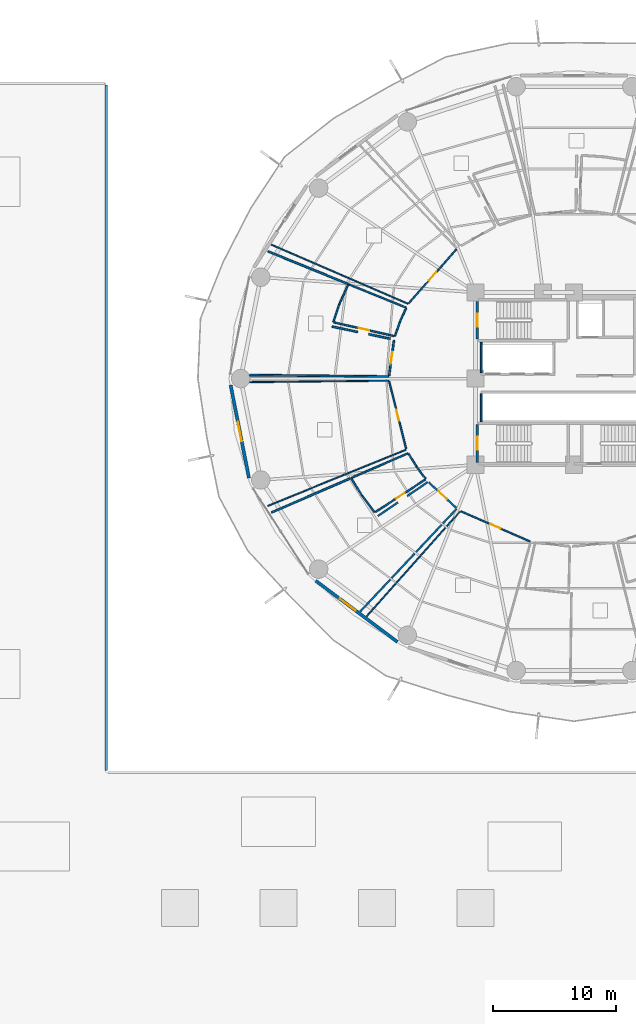
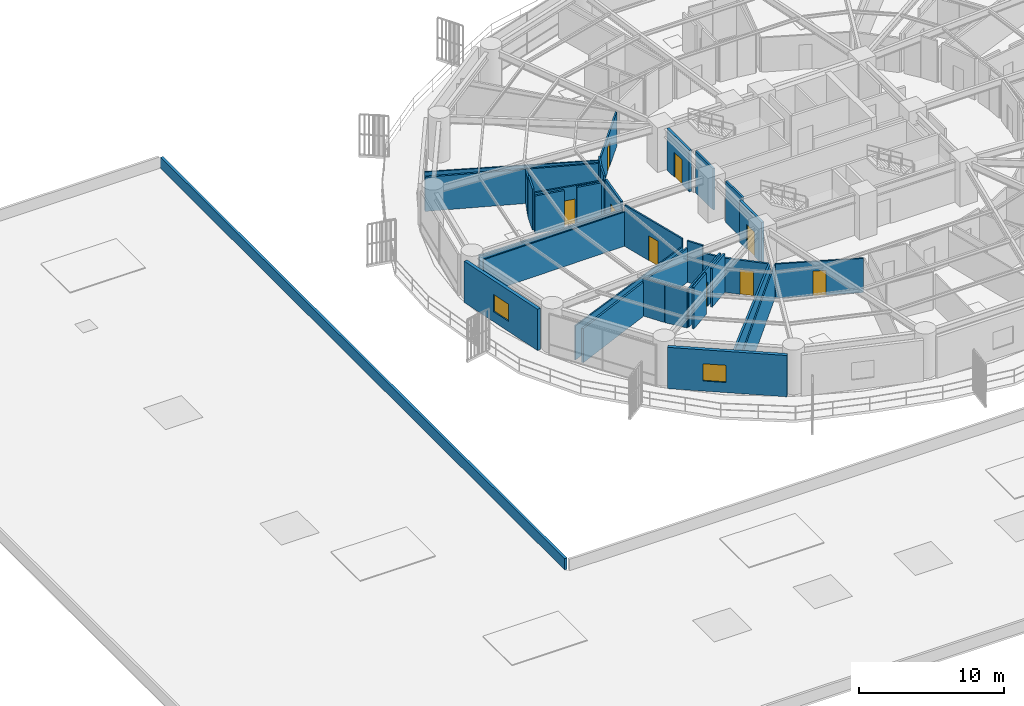
# One storey, part 24 of 35: 36 walls, 9 doors, 2 windows, 11 openings.
"""IFC4 building model written with IfcOpenShell, lengths in metres."""

from ifc_helpers import new_model, si_unit, direction, frame, frame_2d, origin, place, context, subcontext, project, spatial, rectangle, extrude, material, layer, layer_set, type_object, element, fill, save


model = new_model("IFC4")

# Units and contexts
model_context = context("Model", 3, precision=1e-05, world=origin(), true_north=direction((0.0, 1.0)))
body_context = subcontext(model_context, "Body", "Model", "MODEL_VIEW")
ifc_project = project(units=[si_unit("LENGTHUNIT", "METRE"), si_unit("AREAUNIT", "SQUARE_METRE"), si_unit("VOLUMEUNIT", "CUBIC_METRE"), si_unit("PLANEANGLEUNIT", "RADIAN"), si_unit("MASSUNIT", "GRAM", prefix="KILO")], contexts=[model_context])

# Site, building, storey
site_placement = place(None, origin())
site = spatial("IfcSite", under=ifc_project, at=site_placement, CompositionType="ELEMENT")
building_placement = place(site_placement, origin())
building = spatial("IfcBuilding", under=site, at=building_placement, Name="Kelanora Arch Commons", CompositionType="ELEMENT")
storey_placement = place(building_placement, frame((0.0, 0.0, 22.5)))
storey = spatial("IfcBuildingStorey", under=building, at=storey_placement, Name="L05", CompositionType="ELEMENT", Elevation=22.5)

# Walls
ifc_material_1 = material(Name="Autoclaved aerated concrete blockwork with fire plaster", Category="masonry")
ifc_layer_1 = layer(ifc_material_1, 0.14990234375)
ifc_layer_set_1 = layer_set([ifc_layer_1], Name="Autoclaved aerated concrete blockwork with fire plaster")
wall_type_1 = type_object("IfcWallType", Name="W-COMP-150", PredefinedType="PARTITIONING", material=ifc_layer_set_1)
wall_1_placement = place(storey_placement, frame((66.4599609375, 58.47998046875, 0.0), z_axis=(0.0, 0.0, 1.0), x_axis=(0.0, 1.0, 0.0)))
element("IfcWall", 1, at=wall_1_placement, inside=storey, type_object=wall_type_1, Name="Low-Rise Lift Bank West Wall L05", PredefinedType="PARTITIONING", context=body_context, shape_type="SweptSolid", body=[
    extrude(rectangle(XDim=2.4599609375, YDim=0.14990234375, at=frame_2d((1.22998046875, 0.0))), origin(), (0.0, 0.0, 1.0), 3.47998046875),
])
wall_2_placement = place(storey_placement, frame((66.4599609375, 54.47998046875, 0.0), z_axis=(0.0, 0.0, 1.0), x_axis=(0.0, 1.0, 0.0)))
element("IfcWall", 2, at=wall_2_placement, inside=storey, type_object=wall_type_1, Name="South Lift Bank West Wall L05", PredefinedType="PARTITIONING", context=body_context, shape_type="SweptSolid", body=[
    extrude(rectangle(XDim=2.2900390625, YDim=0.14990234375, at=frame_2d((1.14501953125, 0.0))), origin(), (0.0, 0.0, 1.0), 3.47998046875),
])

# Wall, opening, door
wall_3_placement = place(storey_placement, frame((59.375, 61.114501953125, 0.0), z_axis=(0.0, 0.0, 1.0), x_axis=(-0.135838186105, -0.990731036758, 0.0)))
wall_3 = element("IfcWall", 3, at=wall_3_placement, inside=storey, type_object=wall_type_1, Name="Co-Living Studio L05-07 Entry Partition", PredefinedType="PARTITIONING", context=body_context, shape_type="SweptSolid", body=[
    extrude(rectangle(XDim=2.915283203125, YDim=0.14990234375, at=frame_2d((1.45751953125, 0.0))), origin(), (0.0, 0.0, 1.0), 3.47998046875),
])
opening_1_placement = place(wall_3_placement, frame((0.98291015625, 0.0, 0.0)))
opening_1 = element("IfcOpeningElement", 4, at=opening_1_placement, cuts=wall_3, Name="Opening D-CLU1", PredefinedType="OPENING", context=body_context, shape_type="SweptSolid", body=[
    extrude(rectangle(XDim=0.949951171875, YDim=2.080078125, at=frame_2d((0.47509765625, 1.0400390625))), frame((0.0, 0.0849609375, 0.0), z_axis=(0.0, -1.0, 0.0), x_axis=(1.0, 0.0, 0.0)), (0.0, 0.0, 1.0), 0.169921875),
])
ifc_material_2 = material(Name="Solid-core acoustic timber cluster entry fire door", Category="wood")
door_type_1 = type_object("IfcDoorType", Name="D-CLU-95", OperationType="NOTDEFINED", PredefinedType="DOOR", material=ifc_material_2)
door_1_placement = place(opening_1_placement, origin())
door_1 = element("IfcDoor", 5, at=door_1_placement, inside=storey, type_object=door_type_1, Name="Co-Living Studio L05-07 Door", OperationType="SINGLE_SWING_LEFT", OverallHeight=2.080078125, OverallWidth=0.949951171875, PredefinedType="DOOR", context=body_context, shape_type="SweptSolid", body=[
    extrude(rectangle(XDim=0.949951171875, YDim=2.080078125, at=frame_2d((0.47509765625, 1.0400390625))), frame((0.0, 0.02490234375, 0.0), z_axis=(0.0, -1.0, 0.0), x_axis=(1.0, 0.0, 0.0)), (0.0, 0.0, 1.0), 0.050048828125),
])
fill(opening_1, door_1)

wall_4_placement = place(storey_placement, frame((62.194091796875, 49.5751953125, 0.0), z_axis=(0.0, 0.0, 1.0), x_axis=(0.7329267348, -0.680307578538, 0.0)))
wall_4 = element("IfcWall", 6, at=wall_4_placement, inside=storey, type_object=wall_type_1, Name="Co-Living Studio L05-09 Entry Partition", PredefinedType="PARTITIONING", context=body_context, shape_type="SweptSolid", body=[
    extrude(rectangle(XDim=3.06689453125, YDim=0.14990234375, at=frame_2d((1.533447265625, 0.0))), origin(), (0.0, 0.0, 1.0), 2.875),
])
opening_2_placement = place(wall_4_placement, frame((1.05908203125, 0.0, 0.0)))
opening_2 = element("IfcOpeningElement", 7, at=opening_2_placement, cuts=wall_4, Name="Opening D-CLU1", PredefinedType="OPENING", context=body_context, shape_type="SweptSolid", body=[
    extrude(rectangle(XDim=0.949951171875, YDim=2.080078125, at=frame_2d((0.47509765625, 1.0400390625))), frame((0.0, 0.0849609375, 0.0), z_axis=(0.0, -1.0, 0.0), x_axis=(1.0, 0.0, 0.0)), (0.0, 0.0, 1.0), 0.169921875),
])
door_2_placement = place(opening_2_placement, origin())
door_2 = element("IfcDoor", 8, at=door_2_placement, inside=storey, type_object=door_type_1, Name="Co-Living Studio L05-09 Door", OperationType="SINGLE_SWING_RIGHT", OverallHeight=2.080078125, OverallWidth=0.949951171875, PredefinedType="DOOR", context=body_context, shape_type="SweptSolid", body=[
    extrude(rectangle(XDim=0.949951171875, YDim=2.080078125, at=frame_2d((0.47509765625, 1.0400390625))), frame((0.0, 0.02490234375, 0.0), z_axis=(0.0, -1.0, 0.0), x_axis=(1.0, 0.0, 0.0)), (0.0, 0.0, 1.0), 0.050048828125),
])
fill(opening_2, door_2)

# Walls
wall_5_placement = place(storey_placement, frame((58.930908203125, 58.16748046875, 0.0), z_axis=(0.0, 0.0, 1.0), x_axis=(-0.999943877154, 0.010594458135, 0.0)))
element("IfcWall", 9, at=wall_5_placement, inside=storey, type_object=wall_type_1, Name="Co-Living Studio L05-07 Enclosure Partition 2", PredefinedType="PARTITIONING", context=body_context, shape_type="SweptSolid", body=[
    extrude(rectangle(XDim=11.291748046875, YDim=0.14990234375, at=frame_2d((5.64599609375, 0.0))), origin(), (0.0, 0.0, 1.0), 2.875),
])
wall_6_placement = place(storey_placement, frame((49.135009765625, 68.3359375, 0.0), z_axis=(0.0, 0.0, 1.0), x_axis=(0.926325178802, -0.376724917038, 0.0)))
element("IfcWall", 10, at=wall_6_placement, inside=storey, type_object=wall_type_1, Name="Co-Living Studio L05-07 Enclosure Partition 5", PredefinedType="PARTITIONING", context=body_context, shape_type="SweptSolid", body=[
    extrude(rectangle(XDim=6.9833984375, YDim=0.14990234375, at=frame_2d((3.49169921875, 0.0))), origin(), (0.0, 0.0, 1.0), 2.875),
])
wall_7_placement = place(storey_placement, frame((54.337158203125, 62.226806640625, 0.0), z_axis=(0.0, 0.0, 1.0), x_axis=(0.978922282622, -0.204233113343, 0.0)))
element("IfcWall", 11, at=wall_7_placement, inside=storey, type_object=wall_type_1, Name="Co-Living Studio L05-07 Enclosure Partition 7", PredefinedType="PARTITIONING", context=body_context, shape_type="SweptSolid", body=[
    extrude(rectangle(XDim=2.132568359375, YDim=0.14990234375, at=frame_2d((1.06640625, 0.0))), origin(), (0.0, 0.0, 1.0), 3.175048828125),
])
wall_8_placement = place(storey_placement, frame((57.325439453125, 61.603271484375, 0.0), z_axis=(0.0, 0.0, 1.0), x_axis=(0.978929424395, -0.204198878681, 0.0)))
element("IfcWall", 12, at=wall_8_placement, inside=storey, type_object=wall_type_1, Name="Co-Living Studio L05-07 Enclosure Partition 7", PredefinedType="PARTITIONING", context=body_context, shape_type="SweptSolid", body=[
    extrude(rectangle(XDim=1.79345703125, YDim=0.14990234375, at=frame_2d((0.896728515625, 0.0))), origin(), (0.0, 0.0, 1.0), 3.235107421875),
])
wall_9_placement = place(storey_placement, frame((64.45849609375, 47.418701171875, 0.0), z_axis=(0.0, 0.0, 1.0), x_axis=(-0.684261294523, -0.729236916796, 0.0)))
element("IfcWall", 13, at=wall_9_placement, inside=storey, type_object=wall_type_1, Name="Co-Living Studio L05-09 Enclosure Partition 2", PredefinedType="PARTITIONING", context=body_context, shape_type="SweptSolid", body=[
    extrude(rectangle(XDim=11.4375, YDim=0.14990234375, at=frame_2d((5.71875, 0.0))), origin(), (0.0, 0.0, 1.0), 2.875),
])
wall_10_placement = place(storey_placement, frame((49.42578125, 47.1259765625, 0.0), z_axis=(0.0, 0.0, 1.0), x_axis=(0.917736225937, 0.397190407239, 0.0)))
element("IfcWall", 14, at=wall_10_placement, inside=storey, type_object=wall_type_1, Name="Co-Living Studio L05-09 Enclosure Partition 5", PredefinedType="PARTITIONING", context=body_context, shape_type="SweptSolid", body=[
    extrude(rectangle(XDim=6.966552734375, YDim=0.14990234375, at=frame_2d((3.4833984375, 0.0))), origin(), (0.0, 0.0, 1.0), 2.875),
])
wall_11_placement = place(storey_placement, frame((58.06103515625, 46.83447265625, 0.0), z_axis=(0.0, 0.0, 1.0), x_axis=(0.826811291248, 0.562479411769, 0.0)))
element("IfcWall", 15, at=wall_11_placement, inside=storey, type_object=wall_type_1, Name="Co-Living Studio L05-09 Enclosure Partition 7", PredefinedType="PARTITIONING", context=body_context, shape_type="SweptSolid", body=[
    extrude(rectangle(XDim=1.970947265625, YDim=0.14990234375, at=frame_2d((0.9853515625, 0.0))), origin(), (0.0, 0.0, 1.0), 3.47998046875),
])
wall_12_placement = place(storey_placement, frame((60.451416015625, 48.460693359375, 0.0), z_axis=(0.0, 0.0, 1.0), x_axis=(0.826867883695, 0.562396215237, 0.0)))
element("IfcWall", 16, at=wall_12_placement, inside=storey, type_object=wall_type_1, Name="Co-Living Studio L05-09 Enclosure Partition 7", PredefinedType="PARTITIONING", context=body_context, shape_type="SweptSolid", body=[
    extrude(rectangle(XDim=2.01416015625, YDim=0.14990234375, at=frame_2d((1.007080078125, 0.0))), origin(), (0.0, 0.0, 1.0), 3.235107421875),
])

# Wall, opening, window
ifc_material_3 = material(Name="Precast concrete C40/50 with terracotta rainscreen", Category="masonry")
ifc_layer_2 = layer(ifc_material_3, 0.260009765625)
ifc_layer_set_2 = layer_set([ifc_layer_2], Name="Precast concrete C40/50 with terracotta rainscreen")
wall_type_2 = type_object("IfcWallType", Name="W-EXT-TC", PredefinedType="SOLIDWALL", material=ifc_layer_set_2)
wall_13_placement = place(storey_placement, frame((46.103515625, 57.4765625, 0.0), z_axis=(0.0, 0.0, 1.0), x_axis=(0.193726159581, -0.98105564322, 0.0)))
wall_13 = element("IfcWall", 17, at=wall_13_placement, inside=storey, type_object=wall_type_2, Name="Terracotta Exterior Wall L05-B09", PredefinedType="SOLIDWALL", context=body_context, shape_type="SweptSolid", body=[
    extrude(rectangle(XDim=7.70263671875, YDim=0.260009765625, at=frame_2d((3.851318359375, 0.0))), origin(), (0.0, 0.0, 1.0), 3.47509765625),
])
opening_3_placement = place(wall_13_placement, frame((3.051025390625, 0.0, 0.85009765625)))
opening_3 = element("IfcOpeningElement", 18, at=opening_3_placement, cuts=wall_13, Name="Opening WN-01", PredefinedType="OPENING", context=body_context, shape_type="SweptSolid", body=[
    extrude(rectangle(XDim=1.60009765625, YDim=1.449951171875, at=frame_2d((0.800048828125, 0.72509765625))), frame((0.0, 0.14013671875, 0.0), z_axis=(0.0, -1.0, 0.0), x_axis=(1.0, 0.0, 0.0)), (0.0, 0.0, 1.0), 0.280029296875),
])
ifc_material_4 = material(Name="Terracotta-anodised aluminium frame with operable low-E glazing", Category="masonry")
window_type = type_object("IfcWindowType", Name="WIN-CL-18", PartitioningType="DOUBLE_PANEL_VERTICAL", PredefinedType="WINDOW", material=ifc_material_4)
window_1_placement = place(opening_3_placement, origin())
window_1 = element("IfcWindow", 19, at=window_1_placement, inside=storey, type_object=window_type, Name="Co-Living Operable Window L05-B09", OverallHeight=1.449951171875, OverallWidth=1.60009765625, PartitioningType="SINGLE_PANEL", PredefinedType="WINDOW", context=body_context, shape_type="SweptSolid", body=[
    extrude(rectangle(XDim=1.60009765625, YDim=1.449951171875, at=frame_2d((0.800048828125, 0.72509765625))), frame((0.0, 0.030029296875, 0.0), z_axis=(0.0, -1.0, 0.0), x_axis=(1.0, 0.0, 0.0)), (0.0, 0.0, 1.0), 0.06005859375),
])
fill(opening_3, window_1)

wall_14_placement = place(storey_placement, frame((53.01611328125, 41.581787109375, 0.0), z_axis=(0.0, 0.0, 1.0), x_axis=(0.80030733173, -0.599590005569, 0.0)))
wall_14 = element("IfcWall", 20, at=wall_14_placement, inside=storey, type_object=wall_type_2, Name="Terracotta Exterior Wall L05-B11", PredefinedType="SOLIDWALL", context=body_context, shape_type="SweptSolid", body=[
    extrude(rectangle(XDim=8.29052734375, YDim=0.260009765625, at=frame_2d((4.145263671875, 0.0))), origin(), (0.0, 0.0, 1.0), 3.47509765625),
])
opening_4_placement = place(wall_14_placement, frame((2.445068359375, 0.0, 0.85009765625)))
opening_4 = element("IfcOpeningElement", 21, at=opening_4_placement, cuts=wall_14, Name="Opening WN-01", PredefinedType="OPENING", context=body_context, shape_type="SweptSolid", body=[
    extrude(rectangle(XDim=1.60009765625, YDim=1.449951171875, at=frame_2d((0.800048828125, 0.72509765625))), frame((0.0, 0.14013671875, 0.0), z_axis=(0.0, -1.0, 0.0), x_axis=(1.0, 0.0, 0.0)), (0.0, 0.0, 1.0), 0.280029296875),
])
window_2_placement = place(opening_4_placement, origin())
window_2 = element("IfcWindow", 22, at=window_2_placement, inside=storey, type_object=window_type, Name="Co-Living Operable Window L05-B11", OverallHeight=1.449951171875, OverallWidth=1.60009765625, PartitioningType="SINGLE_PANEL", PredefinedType="WINDOW", context=body_context, shape_type="SweptSolid", body=[
    extrude(rectangle(XDim=1.60009765625, YDim=1.449951171875, at=frame_2d((0.800048828125, 0.72509765625))), frame((0.0, 0.030029296875, 0.0), z_axis=(0.0, -1.0, 0.0), x_axis=(1.0, 0.0, 0.0)), (0.0, 0.0, 1.0), 0.06005859375),
])
fill(opening_4, window_2)

# Walls
ifc_material_5 = material(Name="Precast concrete C40/50 parapet", Category="concrete")
ifc_layer_3 = layer(ifc_material_5, 0.18994140625)
ifc_layer_set_3 = layer_set([ifc_layer_3], Name="Precast concrete C40/50 parapet")
wall_type_3 = type_object("IfcWallType", Name="W-PARAPET", PredefinedType="PARAPET", material=ifc_layer_set_3)
wall_15_placement = place(storey_placement, frame((36.0, 26.14990234375, 0.0), z_axis=(0.0, 0.0, 1.0), x_axis=(0.0, 1.0, 0.0)))
element("IfcWall", 23, at=wall_15_placement, inside=storey, type_object=wall_type_3, Name="Market Hall Roof Parapet 4", PredefinedType="PARAPET", context=body_context, shape_type="SweptSolid", body=[
    extrude(rectangle(XDim=55.7001953125, YDim=0.18994140625, at=frame_2d((27.85009765625, 0.0))), origin(), (0.0, 0.0, 1.0), 0.949951171875),
])
ifc_material_6 = material(Name="Lightweight fire-rated acoustic stud partition")
ifc_layer_4 = layer(ifc_material_6, 0.10009765625)
ifc_layer_set_4 = layer_set([ifc_layer_4], Name="Lightweight fire-rated acoustic stud partition")
wall_type_4 = type_object("IfcWallType", Name="W-PART-100", PredefinedType="PARTITIONING", material=ifc_layer_set_4)
wall_16_placement = place(storey_placement, frame((60.502197265625, 64.078857421875, 0.0), z_axis=(0.0, 0.0, 1.0), x_axis=(-0.917695041134, 0.397285554077, 0.0)))
element("IfcWall", 24, at=wall_16_placement, inside=storey, type_object=wall_type_4, Name="Quiet Seminar Study Room L05-06 Enclosure Partition 2", PredefinedType="PARTITIONING", context=body_context, shape_type="SweptSolid", body=[
    extrude(rectangle(XDim=12.06982421875, YDim=0.10009765625, at=frame_2d((6.034912109375, 0.0))), origin(), (0.0, 0.0, 1.0), 2.875),
])
wall_17_placement = place(storey_placement, frame((60.343017578125, 52.221923828125, 0.0), z_axis=(0.0, 0.0, 1.0), x_axis=(-0.926333713065, -0.376703931542, 0.0)))
element("IfcWall", 25, at=wall_17_placement, inside=storey, type_object=wall_type_4, Name="Social Sky Lounge L05-08 Enclosure Partition 2", PredefinedType="PARTITIONING", context=body_context, shape_type="SweptSolid", body=[
    extrude(rectangle(XDim=12.099365234375, YDim=0.10009765625, at=frame_2d((6.0498046875, 0.0))), origin(), (0.0, 0.0, 1.0), 2.875),
])
wall_18_placement = place(storey_placement, frame((47.639892578125, 57.712890625, 0.0), z_axis=(0.0, 0.0, 1.0), x_axis=(0.999943877154, 0.010594458135, 0.0)))
element("IfcWall", 26, at=wall_18_placement, inside=storey, type_object=wall_type_4, Name="Social Sky Lounge L05-08 Enclosure Partition 4", PredefinedType="PARTITIONING", context=body_context, shape_type="SweptSolid", body=[
    extrude(rectangle(XDim=11.291748046875, YDim=0.10009765625, at=frame_2d((5.64599609375, 0.0))), origin(), (0.0, 0.0, 1.0), 2.875),
])
wall_19_placement = place(storey_placement, frame((57.156494140625, 38.705810546875, 0.0), z_axis=(0.0, 0.0, 1.0), x_axis=(0.66580890104, 0.746122313897, 0.0)))
element("IfcWall", 27, at=wall_19_placement, inside=storey, type_object=wall_type_4, Name="Quiet Seminar Study Room L05-10 Enclosure Partition 4", PredefinedType="PARTITIONING", context=body_context, shape_type="SweptSolid", body=[
    extrude(rectangle(XDim=11.3994140625, YDim=0.10009765625, at=frame_2d((5.69970703125, 0.0))), origin(), (0.0, 0.0, 1.0), 2.875),
])

# Wall, opening, door
ifc_material_7 = material(Name="Acoustic twin-stud fire-rated gypsum partition")
ifc_layer_5 = layer(ifc_material_7, 0.1201171875)
ifc_layer_set_5 = layer_set([ifc_layer_5], Name="Acoustic twin-stud fire-rated gypsum partition")
wall_type_5 = type_object("IfcWallType", Name="W-PART-120", PredefinedType="PARTITIONING", material=ifc_layer_set_5)
wall_20_placement = place(storey_placement, frame((64.4462890625, 68.5068359375, 0.0), z_axis=(0.0, 0.0, 1.0), x_axis=(-0.660323401664, -0.75098136143, 0.0)))
wall_20 = element("IfcWall", 28, at=wall_20_placement, inside=storey, type_object=wall_type_5, Name="Quiet Seminar Study Room L05-06 Entry Partition", PredefinedType="PARTITIONING", context=body_context, shape_type="SweptSolid", body=[
    extrude(rectangle(XDim=5.857177734375, YDim=0.1201171875, at=frame_2d((2.9287109375, 0.0))), origin(), (0.0, 0.0, 1.0), 2.875),
])
opening_5_placement = place(wall_20_placement, frame((2.47900390625, 0.0, 0.0)))
opening_5 = element("IfcOpeningElement", 29, at=opening_5_placement, cuts=wall_20, Name="Opening D-RM1", PredefinedType="OPENING", context=body_context, shape_type="SweptSolid", body=[
    extrude(rectangle(XDim=0.89990234375, YDim=2.080078125, at=frame_2d((0.449951171875, 1.0400390625))), frame((0.0, 0.070068359375, 0.0), z_axis=(0.0, -1.0, 0.0), x_axis=(1.0, 0.0, 0.0)), (0.0, 0.0, 1.0), 0.14013671875),
])
ifc_material_8 = material(Name="Acoustic fire-rated timber study and lounge door", Category="wood")
door_type_2 = type_object("IfcDoorType", Name="D-ROOM-90", OperationType="NOTDEFINED", PredefinedType="DOOR", material=ifc_material_8)
door_3_placement = place(opening_5_placement, origin())
door_3 = element("IfcDoor", 30, at=door_3_placement, inside=storey, type_object=door_type_2, Name="Quiet Seminar Study Room L05-06 Door", OperationType="SINGLE_SWING_LEFT", OverallHeight=2.080078125, OverallWidth=0.89990234375, PredefinedType="DOOR", context=body_context, shape_type="SweptSolid", body=[
    extrude(rectangle(XDim=0.89990234375, YDim=2.080078125, at=frame_2d((0.449951171875, 1.0400390625))), frame((0.0, 0.02490234375, 0.0), z_axis=(0.0, -1.0, 0.0), x_axis=(1.0, 0.0, 0.0)), (0.0, 0.0, 1.0), 0.050048828125),
])
fill(opening_5, door_3)

wall_21_placement = place(storey_placement, frame((58.985595703125, 57.77490234375, 0.0), z_axis=(0.0, 0.0, 1.0), x_axis=(0.244192294026, -0.969726829338, 0.0)))
wall_21 = element("IfcWall", 31, at=wall_21_placement, inside=storey, type_object=wall_type_5, Name="Social Sky Lounge L05-08 Entry Partition", PredefinedType="PARTITIONING", context=body_context, shape_type="SweptSolid", body=[
    extrude(rectangle(XDim=5.65087890625, YDim=0.1201171875, at=frame_2d((2.825439453125, 0.0))), origin(), (0.0, 0.0, 1.0), 3.47998046875),
])
opening_6_placement = place(wall_21_placement, frame((2.375, 0.0, 0.0)))
opening_6 = element("IfcOpeningElement", 32, at=opening_6_placement, cuts=wall_21, Name="Opening D-RM1", PredefinedType="OPENING", context=body_context, shape_type="SweptSolid", body=[
    extrude(rectangle(XDim=0.89990234375, YDim=2.080078125, at=frame_2d((0.449951171875, 1.0400390625))), frame((0.0, 0.070068359375, 0.0), z_axis=(0.0, -1.0, 0.0), x_axis=(1.0, 0.0, 0.0)), (0.0, 0.0, 1.0), 0.14013671875),
])
door_4_placement = place(opening_6_placement, origin())
door_4 = element("IfcDoor", 33, at=door_4_placement, inside=storey, type_object=door_type_2, Name="Social Sky Lounge L05-08 Door", OperationType="SINGLE_SWING_RIGHT", OverallHeight=2.080078125, OverallWidth=0.89990234375, PredefinedType="DOOR", context=body_context, shape_type="SweptSolid", body=[
    extrude(rectangle(XDim=0.89990234375, YDim=2.080078125, at=frame_2d((0.449951171875, 1.0400390625))), frame((0.0, 0.02490234375, 0.0), z_axis=(0.0, -1.0, 0.0), x_axis=(1.0, 0.0, 0.0)), (0.0, 0.0, 1.0), 0.050048828125),
])
fill(opening_6, door_4)

wall_22_placement = place(storey_placement, frame((64.827880859375, 47.217041015625, 0.0), z_axis=(0.0, 0.0, 1.0), x_axis=(0.916419655578, -0.400218708797, 0.0)))
wall_22 = element("IfcWall", 34, at=wall_22_placement, inside=storey, type_object=wall_type_5, Name="Quiet Seminar Study Room L05-10 Entry Partition", PredefinedType="PARTITIONING", context=body_context, shape_type="SweptSolid", body=[
    extrude(rectangle(XDim=6.1044921875, YDim=0.1201171875, at=frame_2d((3.05224609375, 0.0))), origin(), (0.0, 0.0, 1.0), 2.875),
])
opening_7_placement = place(wall_22_placement, frame((2.60205078125, 0.0, 0.0)))
opening_7 = element("IfcOpeningElement", 35, at=opening_7_placement, cuts=wall_22, Name="Opening D-RM1", PredefinedType="OPENING", context=body_context, shape_type="SweptSolid", body=[
    extrude(rectangle(XDim=0.89990234375, YDim=2.080078125, at=frame_2d((0.449951171875, 1.0400390625))), frame((0.0, 0.070068359375, 0.0), z_axis=(0.0, -1.0, 0.0), x_axis=(1.0, 0.0, 0.0)), (0.0, 0.0, 1.0), 0.14013671875),
])
door_5_placement = place(opening_7_placement, origin())
door_5 = element("IfcDoor", 36, at=door_5_placement, inside=storey, type_object=door_type_2, Name="Quiet Seminar Study Room L05-10 Door", OperationType="SINGLE_SWING_LEFT", OverallHeight=2.080078125, OverallWidth=0.89990234375, PredefinedType="DOOR", context=body_context, shape_type="SweptSolid", body=[
    extrude(rectangle(XDim=0.89990234375, YDim=2.080078125, at=frame_2d((0.449951171875, 1.0400390625))), frame((0.0, 0.02490234375, 0.0), z_axis=(0.0, -1.0, 0.0), x_axis=(1.0, 0.0, 0.0)), (0.0, 0.0, 1.0), 0.050048828125),
])
fill(opening_7, door_5)

ifc_material_9 = material(Name="Concrete C40/50", Category="concrete")
ifc_layer_6 = layer(ifc_material_9, 0.199951171875)
ifc_layer_set_6 = layer_set([ifc_layer_6], Name="Concrete C40/50")
wall_type_6 = type_object("IfcWallType", Name="W-STAIR-200", PredefinedType="SHEAR", material=ifc_layer_set_6)
wall_23_placement = place(storey_placement, frame((66.139892578125, 64.27001953125, 0.0), z_axis=(0.0, 0.0, 1.0), x_axis=(0.0, -1.0, 0.0)))
wall_23 = element("IfcWall", 37, at=wall_23_placement, inside=storey, type_object=wall_type_6, Name="Stair ST-T1 Shaft Wall W L05", PredefinedType="SHEAR", context=body_context, shape_type="SweptSolid", body=[
    extrude(rectangle(XDim=3.070068359375, YDim=0.199951171875, at=frame_2d((1.53515625, 0.0))), origin(), (0.0, 0.0, 1.0), 3.489990234375),
])
opening_8_placement = place(wall_23_placement, frame((1.010009765625, 0.0, 0.0)))
opening_8 = element("IfcOpeningElement", 38, at=opening_8_placement, cuts=wall_23, Name="Opening D-ST1", PredefinedType="OPENING", context=body_context, shape_type="SweptSolid", body=[
    extrude(rectangle(XDim=1.050048828125, YDim=2.10009765625, at=frame_2d((0.52490234375, 1.050048828125))), frame((0.0, 0.10986328125, 0.0), z_axis=(0.0, -1.0, 0.0), x_axis=(1.0, 0.0, 0.0)), (0.0, 0.0, 1.0), 0.219970703125),
])
ifc_material_10 = material(Name="Steel fire-rated stairwell escape door", Category="steel")
door_type_3 = type_object("IfcDoorType", Name="D-STAIR-110", OperationType="NOTDEFINED", PredefinedType="DOOR", material=ifc_material_10)
door_6_placement = place(opening_8_placement, origin())
door_6 = element("IfcDoor", 39, at=door_6_placement, inside=storey, type_object=door_type_3, Name="Stair ST-T1 Escape Door L05", OperationType="SINGLE_SWING_LEFT", OverallHeight=2.10009765625, OverallWidth=1.050048828125, PredefinedType="DOOR", context=body_context, shape_type="SweptSolid", body=[
    extrude(rectangle(XDim=1.050048828125, YDim=2.10009765625, at=frame_2d((0.52490234375, 1.050048828125))), frame((0.0, 0.02490234375, 0.0), z_axis=(0.0, -1.0, 0.0), x_axis=(1.0, 0.0, 0.0)), (0.0, 0.0, 1.0), 0.050048828125),
])
fill(opening_8, door_6)

wall_24_placement = place(storey_placement, frame((66.139892578125, 54.27001953125, 0.0), z_axis=(0.0, 0.0, 1.0), x_axis=(0.0, -1.0, 0.0)))
wall_24 = element("IfcWall", 40, at=wall_24_placement, inside=storey, type_object=wall_type_6, Name="Stair ST-T3 Shaft Wall W L05", PredefinedType="SHEAR", context=body_context, shape_type="SweptSolid", body=[
    extrude(rectangle(XDim=3.070068359375, YDim=0.199951171875, at=frame_2d((1.53515625, 0.0))), origin(), (0.0, 0.0, 1.0), 3.489990234375),
])
opening_9_placement = place(wall_24_placement, frame((1.010009765625, 0.0, 0.0)))
opening_9 = element("IfcOpeningElement", 41, at=opening_9_placement, cuts=wall_24, Name="Opening D-ST1", PredefinedType="OPENING", context=body_context, shape_type="SweptSolid", body=[
    extrude(rectangle(XDim=1.050048828125, YDim=2.10009765625, at=frame_2d((0.52490234375, 1.050048828125))), frame((0.0, 0.10986328125, 0.0), z_axis=(0.0, -1.0, 0.0), x_axis=(1.0, 0.0, 0.0)), (0.0, 0.0, 1.0), 0.219970703125),
])
door_7_placement = place(opening_9_placement, origin())
door_7 = element("IfcDoor", 42, at=door_7_placement, inside=storey, type_object=door_type_3, Name="Stair ST-T3 Escape Door L05", OperationType="SINGLE_SWING_LEFT", OverallHeight=2.10009765625, OverallWidth=1.050048828125, PredefinedType="DOOR", context=body_context, shape_type="SweptSolid", body=[
    extrude(rectangle(XDim=1.050048828125, YDim=2.10009765625, at=frame_2d((0.52490234375, 1.050048828125))), frame((0.0, 0.02490234375, 0.0), z_axis=(0.0, -1.0, 0.0), x_axis=(1.0, 0.0, 0.0)), (0.0, 0.0, 1.0), 0.050048828125),
])
fill(opening_9, door_7)

ifc_material_11 = material(Name="Moisture-resistant fire-rated cement-board plumbing wall")
ifc_layer_7 = layer(ifc_material_11, 0.1298828125)
ifc_layer_set_7 = layer_set([ifc_layer_7], Name="Moisture-resistant fire-rated cement-board plumbing wall")
wall_type_7 = type_object("IfcWallType", Name="W-WET-120", PredefinedType="PLUMBINGWALL", material=ifc_layer_set_7)
wall_25_placement = place(storey_placement, frame((59.3974609375, 61.452392578125, 0.0), z_axis=(0.0, 0.0, 1.0), x_axis=(-0.975187669184, 0.221379786503, 0.0)))
wall_25 = element("IfcWall", 43, at=wall_25_placement, inside=storey, type_object=wall_type_7, Name="En-Suite Shower WC L05-07 Entry Partition", PredefinedType="PLUMBINGWALL", context=body_context, shape_type="SweptSolid", body=[
    extrude(rectangle(XDim=5.02880859375, YDim=0.1298828125, at=frame_2d((2.514404296875, 0.0))), origin(), (0.0, 0.0, 1.0), 3.175048828125),
])
opening_10_placement = place(wall_25_placement, frame((2.083984375, 0.0, 0.0)))
opening_10 = element("IfcOpeningElement", 44, at=opening_10_placement, cuts=wall_25, Name="Opening D-BT1", PredefinedType="OPENING", context=body_context, shape_type="SweptSolid", body=[
    extrude(rectangle(XDim=0.860107421875, YDim=2.050048828125, at=frame_2d((0.43017578125, 1.02490234375))), frame((0.0, 0.074951171875, 0.0), z_axis=(0.0, -1.0, 0.0), x_axis=(1.0, 0.0, 0.0)), (0.0, 0.0, 1.0), 0.14990234375),
])
ifc_material_12 = material(Name="Moisture-sealed fire-rated accessible bathroom door")
door_type_4 = type_object("IfcDoorType", Name="D-BATH-85", OperationType="NOTDEFINED", PredefinedType="DOOR", material=ifc_material_12)
door_8_placement = place(opening_10_placement, origin())
door_8 = element("IfcDoor", 45, at=door_8_placement, inside=storey, type_object=door_type_4, Name="En-Suite Shower WC L05-07 Door", OperationType="SINGLE_SWING_RIGHT", OverallHeight=2.050048828125, OverallWidth=0.860107421875, PredefinedType="DOOR", context=body_context, shape_type="SweptSolid", body=[
    extrude(rectangle(XDim=0.860107421875, YDim=2.050048828125, at=frame_2d((0.43017578125, 1.02490234375))), frame((0.0, 0.02490234375, 0.0), z_axis=(0.0, -1.0, 0.0), x_axis=(1.0, 0.0, 0.0)), (0.0, 0.0, 1.0), 0.050048828125),
])
fill(opening_10, door_8)

wall_26_placement = place(storey_placement, frame((61.916748046875, 49.80029296875, 0.0), z_axis=(0.0, 0.0, 1.0), x_axis=(-0.837796261941, -0.545982988267, 0.0)))
wall_26 = element("IfcWall", 46, at=wall_26_placement, inside=storey, type_object=wall_type_7, Name="En-Suite Shower WC L05-09 Entry Partition", PredefinedType="PLUMBINGWALL", context=body_context, shape_type="SweptSolid", body=[
    extrude(rectangle(XDim=4.838134765625, YDim=0.1298828125, at=frame_2d((2.4189453125, 0.0))), origin(), (0.0, 0.0, 1.0), 3.235107421875),
])
opening_11_placement = place(wall_26_placement, frame((1.989013671875, 0.0, 0.0)))
opening_11 = element("IfcOpeningElement", 47, at=opening_11_placement, cuts=wall_26, Name="Opening D-BT1", PredefinedType="OPENING", context=body_context, shape_type="SweptSolid", body=[
    extrude(rectangle(XDim=0.860107421875, YDim=2.050048828125, at=frame_2d((0.43017578125, 1.02490234375))), frame((0.0, 0.074951171875, 0.0), z_axis=(0.0, -1.0, 0.0), x_axis=(1.0, 0.0, 0.0)), (0.0, 0.0, 1.0), 0.14990234375),
])
door_9_placement = place(opening_11_placement, origin())
door_9 = element("IfcDoor", 48, at=door_9_placement, inside=storey, type_object=door_type_4, Name="En-Suite Shower WC L05-09 Door", OperationType="SINGLE_SWING_LEFT", OverallHeight=2.050048828125, OverallWidth=0.860107421875, PredefinedType="DOOR", context=body_context, shape_type="SweptSolid", body=[
    extrude(rectangle(XDim=0.860107421875, YDim=2.050048828125, at=frame_2d((0.43017578125, 1.02490234375))), frame((0.0, 0.02490234375, 0.0), z_axis=(0.0, -1.0, 0.0), x_axis=(1.0, 0.0, 0.0)), (0.0, 0.0, 1.0), 0.050048828125),
])
fill(opening_11, door_9)

# Walls
wall_27_placement = place(storey_placement, frame((60.37158203125, 63.744873046875, 0.0), z_axis=(0.0, 0.0, 1.0), x_axis=(-0.4138937247, -0.910325208183, 0.0)))
element("IfcWall", 49, at=wall_27_placement, inside=storey, type_object=wall_type_7, Name="En-Suite Shower WC L05-07 Enclosure Partition 1", PredefinedType="PLUMBINGWALL", context=body_context, shape_type="SweptSolid", body=[
    extrude(rectangle(XDim=1.2158203125, YDim=0.1298828125, at=frame_2d((0.60791015625, 0.0))), origin(), (0.0, 0.0, 1.0), 3.47998046875),
])
wall_28_placement = place(storey_placement, frame((59.853515625, 62.60107421875, 0.0), z_axis=(0.0, 0.0, 1.0), x_axis=(-0.323735286305, -0.946147696928, 0.0)))
element("IfcWall", 50, at=wall_28_placement, inside=storey, type_object=wall_type_7, Name="En-Suite Shower WC L05-07 Enclosure Partition 2", PredefinedType="PLUMBINGWALL", context=body_context, shape_type="SweptSolid", body=[
    extrude(rectangle(XDim=1.2080078125, YDim=0.1298828125, at=frame_2d((0.60400390625, 0.0))), origin(), (0.0, 0.0, 1.0), 3.47998046875),
])
wall_29_placement = place(storey_placement, frame((54.44140625, 62.597900390625, 0.0), z_axis=(0.0, 0.0, 1.0), x_axis=(0.326356647952, 0.945246707657, 0.0)))
element("IfcWall", 51, at=wall_29_placement, inside=storey, type_object=wall_type_7, Name="En-Suite Shower WC L05-07 Enclosure Partition 4", PredefinedType="PLUMBINGWALL", context=body_context, shape_type="SweptSolid", body=[
    extrude(rectangle(XDim=1.6240234375, YDim=0.1298828125, at=frame_2d((0.81201171875, 0.0))), origin(), (0.0, 0.0, 1.0), 3.47998046875),
])
wall_30_placement = place(storey_placement, frame((54.986328125, 64.170166015625, 0.0), z_axis=(0.0, 0.0, 1.0), x_axis=(0.41762687648, 0.908618617486, 0.0)))
element("IfcWall", 52, at=wall_30_placement, inside=storey, type_object=wall_type_7, Name="En-Suite Shower WC L05-07 Enclosure Partition 5", PredefinedType="PLUMBINGWALL", context=body_context, shape_type="SweptSolid", body=[
    extrude(rectangle(XDim=1.634033203125, YDim=0.1298828125, at=frame_2d((0.81689453125, 0.0))), origin(), (0.0, 0.0, 1.0), 2.875),
])
wall_31_placement = place(storey_placement, frame((55.695556640625, 65.66552734375, 0.0), z_axis=(0.0, 0.0, 1.0), x_axis=(0.926504606816, -0.376283421835, 0.0)))
element("IfcWall", 53, at=wall_31_placement, inside=storey, type_object=wall_type_7, Name="En-Suite Shower WC L05-07 Enclosure Partition 6", PredefinedType="PLUMBINGWALL", context=body_context, shape_type="SweptSolid", body=[
    extrude(rectangle(XDim=5.0361328125, YDim=0.1298828125, at=frame_2d((2.51806640625, 0.0))), origin(), (0.0, 0.0, 1.0), 2.875),
])
wall_32_placement = place(storey_placement, frame((60.54931640625, 51.919921875, 0.0), z_axis=(0.0, 0.0, 1.0), x_axis=(0.52146609248, -0.853272004928, 0.0)))
element("IfcWall", 54, at=wall_32_placement, inside=storey, type_object=wall_type_7, Name="En-Suite Shower WC L05-09 Enclosure Partition 1", PredefinedType="PLUMBINGWALL", context=body_context, shape_type="SweptSolid", body=[
    extrude(rectangle(XDim=1.22802734375, YDim=0.1298828125, at=frame_2d((0.614013671875, 0.0))), origin(), (0.0, 0.0, 1.0), 3.47998046875),
])
wall_33_placement = place(storey_placement, frame((61.2119140625, 50.839111328125, 0.0), z_axis=(0.0, 0.0, 1.0), x_axis=(0.600347056143, -0.79973959023, 0.0)))
element("IfcWall", 55, at=wall_33_placement, inside=storey, type_object=wall_type_7, Name="En-Suite Shower WC L05-09 Enclosure Partition 2", PredefinedType="PLUMBINGWALL", context=body_context, shape_type="SweptSolid", body=[
    extrude(rectangle(XDim=1.23779296875, YDim=0.1298828125, at=frame_2d((0.618896484375, 0.0))), origin(), (0.0, 0.0, 1.0), 2.875),
])
wall_34_placement = place(storey_placement, frame((57.80078125, 47.141845703125, 0.0), z_axis=(0.0, 0.0, 1.0), x_axis=(-0.60376191721, 0.797164692725, 0.0)))
element("IfcWall", 56, at=wall_34_placement, inside=storey, type_object=wall_type_7, Name="En-Suite Shower WC L05-09 Enclosure Partition 4", PredefinedType="PLUMBINGWALL", context=body_context, shape_type="SweptSolid", body=[
    extrude(rectangle(XDim=1.668701171875, YDim=0.1298828125, at=frame_2d((0.83447265625, 0.0))), origin(), (0.0, 0.0, 1.0), 3.175048828125),
])
wall_35_placement = place(storey_placement, frame((56.7705078125, 48.5048828125, 0.0), z_axis=(0.0, 0.0, 1.0), x_axis=(-0.525540089642, 0.850768837099, 0.0)))
element("IfcWall", 57, at=wall_35_placement, inside=storey, type_object=wall_type_7, Name="En-Suite Shower WC L05-09 Enclosure Partition 5", PredefinedType="PLUMBINGWALL", context=body_context, shape_type="SweptSolid", body=[
    extrude(rectangle(XDim=1.6513671875, YDim=0.1298828125, at=frame_2d((0.82568359375, 0.0))), origin(), (0.0, 0.0, 1.0), 3.175048828125),
])
wall_36_placement = place(storey_placement, frame((55.910400390625, 49.934814453125, 0.0), z_axis=(0.0, 0.0, 1.0), x_axis=(0.917797204715, 0.397049481826, 0.0)))
element("IfcWall", 58, at=wall_36_placement, inside=storey, type_object=wall_type_7, Name="En-Suite Shower WC L05-09 Enclosure Partition 6", PredefinedType="PLUMBINGWALL", context=body_context, shape_type="SweptSolid", body=[
    extrude(rectangle(XDim=5.02294921875, YDim=0.1298828125, at=frame_2d((2.511474609375, 0.0))), origin(), (0.0, 0.0, 1.0), 2.875),
])

save(model, "model.ifc")
